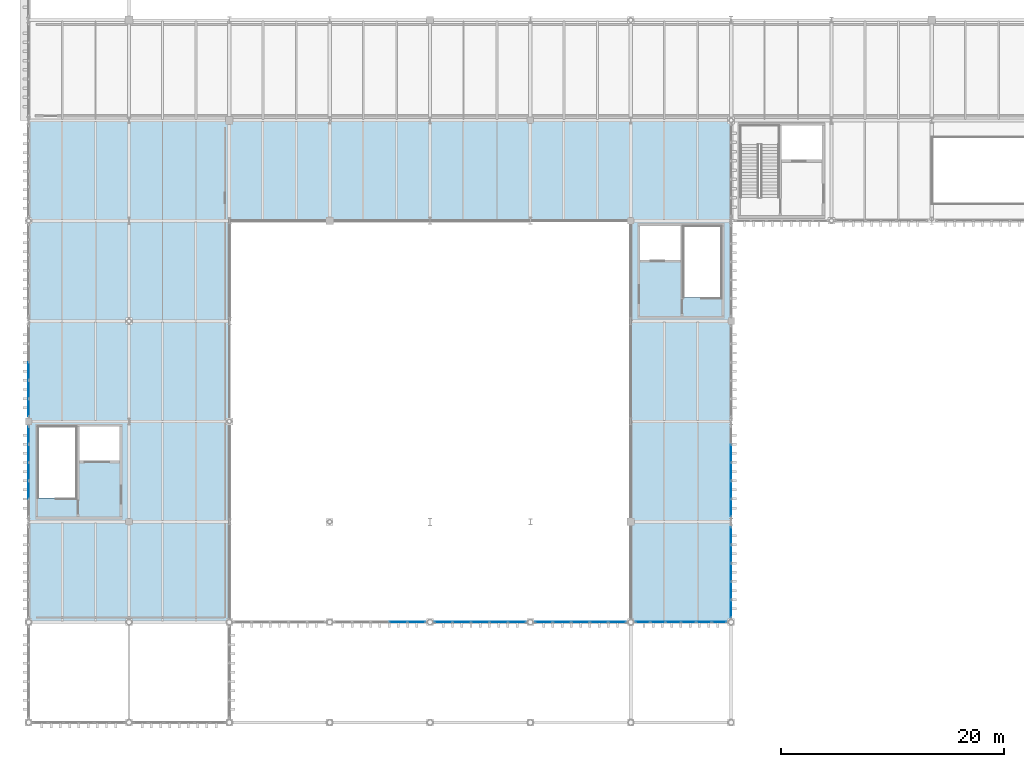
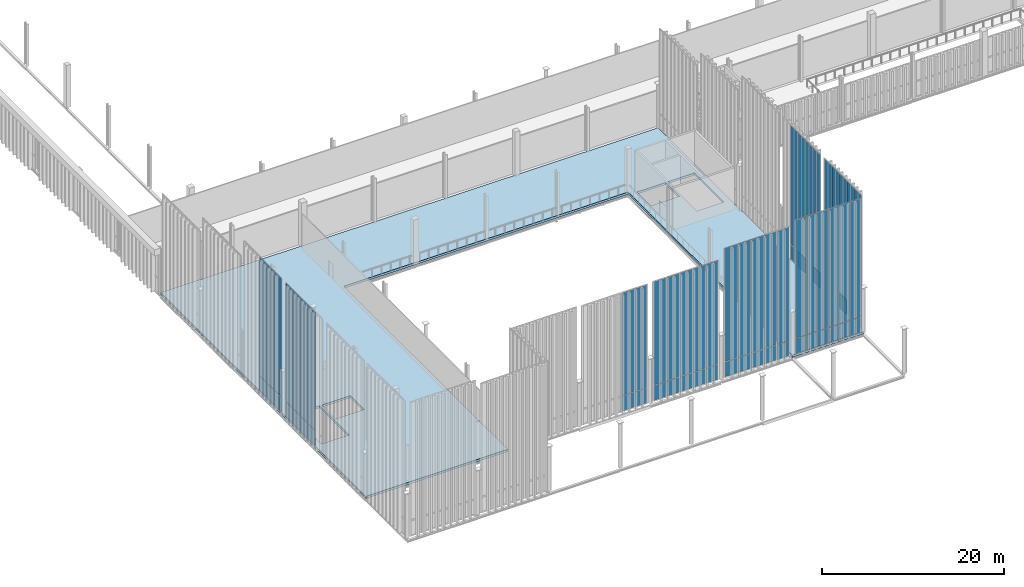
# One storey, part 182 of 237: 68 plates, 1 slab, 8 elements without a shape of their own.
"""IFC4 building model written with IfcOpenShell, lengths in metres."""

from ifc_helpers import new_model, si_unit, direction, frame, origin, origin_2d, place, context, subcontext, project, spatial, polyline, rectangle, outline, extrude, material, layer, layer_set, type_object, element, aggregate, save


model = new_model("IFC4")

# Units and contexts
model_context = context("Model", 3, precision=1e-05, world=origin(), true_north=direction((0.0, 1.0)))
body_context = subcontext(model_context, "Body", "Model", "MODEL_VIEW")
ifc_project = project(units=[si_unit("LENGTHUNIT", "METRE"), si_unit("AREAUNIT", "SQUARE_METRE"), si_unit("VOLUMEUNIT", "CUBIC_METRE"), si_unit("PLANEANGLEUNIT", "RADIAN"), si_unit("MASSUNIT", "GRAM", prefix="KILO")], contexts=[model_context])

# Site, building, storey
site_placement = place(None, origin())
site = spatial("IfcSite", under=ifc_project, at=site_placement, CompositionType="ELEMENT")
building_placement = place(site_placement, origin())
building = spatial("IfcBuilding", under=site, at=building_placement, Name="Barlavento Convention Centre", CompositionType="ELEMENT")
storey_placement = place(building_placement, frame((0.0, 0.0, 12.0)))
storey = spatial("IfcBuildingStorey", under=building, at=storey_placement, Name="L02", CompositionType="ELEMENT", Elevation=12.0)

# Curtain wall, plates
ifc_material_1 = material(Name="Powder-coated aluminium and Low-E glass", Category="aluminium")
ifc_layer_1 = layer(ifc_material_1, 0.18994140625)
ifc_layer_set_1 = layer_set([ifc_layer_1], Name="ARC-CW-CONG-L02")
curtain_wall_type = type_object("IfcCurtainWallType", Name="ARC-CW-CONG-L02", PredefinedType="NOTDEFINED", material=ifc_layer_set_1)
curtain_wall_1_placement = place(storey_placement, origin())
curtain_wall_1 = element("IfcCurtainWall", 1, at=curtain_wall_1_placement, inside=storey, type_object=curtain_wall_type, Name="L02 unitised curtain wall CW02", PredefinedType="NOTDEFINED")
ifc_material_2 = material(Name="Triple-glazed typhoon vision glass", Category="glass")
ifc_layer_2 = layer(ifc_material_2, 0.035888671875)
ifc_layer_set_2 = layer_set([ifc_layer_2], Name="ARC-CWP-GLZ36")
plate_type = type_object("IfcPlateType", Name="ARC-CWP-GLZ36", PredefinedType="CURTAIN_PANEL", material=ifc_layer_set_2)
plate_1_placement = place(storey_placement, frame((55.06787109375, 9.0, 0.06982421875), z_axis=(0.0, 0.0, 1.0), x_axis=(1.0, 0.0, 0.0)))
plate_1 = element("IfcPlate", 2, at=plate_1_placement, type_object=plate_type, Name="CW02 panel 1.1", PredefinedType="CURTAIN_PANEL", context=body_context, shape_type="SweptSolid", body=[
    extrude(rectangle(XDim=1.267822265625, YDim=0.035888671875, at=origin_2d()), origin(), (0.0, 0.0, 1.0), 1.9951171875),
])
plate_2_placement = place(storey_placement, frame((55.06787109375, 9.0, 2.135009765625), z_axis=(0.0, 0.0, 1.0), x_axis=(1.0, 0.0, 0.0)))
plate_2 = element("IfcPlate", 3, at=plate_2_placement, type_object=plate_type, Name="CW02 panel 1.2", PredefinedType="CURTAIN_PANEL", context=body_context, shape_type="SweptSolid", body=[
    extrude(rectangle(XDim=1.267822265625, YDim=0.035888671875, at=origin_2d()), origin(), (0.0, 0.0, 1.0), 15.76708984375),
])
plate_3_placement = place(storey_placement, frame((56.429443359375, 9.0, 0.06982421875), z_axis=(0.0, 0.0, 1.0), x_axis=(1.0, 0.0, 0.0)))
plate_3 = element("IfcPlate", 4, at=plate_3_placement, type_object=plate_type, Name="CW02 panel 2.1", PredefinedType="CURTAIN_PANEL", context=body_context, shape_type="SweptSolid", body=[
    extrude(rectangle(XDim=1.305419921875, YDim=0.035888671875, at=origin_2d()), origin(), (0.0, 0.0, 1.0), 1.9951171875),
])
plate_4_placement = place(storey_placement, frame((56.429443359375, 9.0, 2.135009765625), z_axis=(0.0, 0.0, 1.0), x_axis=(1.0, 0.0, 0.0)))
plate_4 = element("IfcPlate", 5, at=plate_4_placement, type_object=plate_type, Name="CW02 panel 2.2", PredefinedType="CURTAIN_PANEL", context=body_context, shape_type="SweptSolid", body=[
    extrude(rectangle(XDim=1.305419921875, YDim=0.035888671875, at=origin_2d()), origin(), (0.0, 0.0, 1.0), 15.76708984375),
])
plate_5_placement = place(storey_placement, frame((57.809814453125, 9.0, 0.06982421875), z_axis=(0.0, 0.0, 1.0), x_axis=(1.0, 0.0, 0.0)))
plate_5 = element("IfcPlate", 6, at=plate_5_placement, type_object=plate_type, Name="CW02 panel 3.1", PredefinedType="CURTAIN_PANEL", context=body_context, shape_type="SweptSolid", body=[
    extrude(rectangle(XDim=1.305419921875, YDim=0.035888671875, at=origin_2d()), origin(), (0.0, 0.0, 1.0), 1.9951171875),
])
plate_6_placement = place(storey_placement, frame((57.809814453125, 9.0, 2.135009765625), z_axis=(0.0, 0.0, 1.0), x_axis=(1.0, 0.0, 0.0)))
plate_6 = element("IfcPlate", 7, at=plate_6_placement, type_object=plate_type, Name="CW02 panel 3.2", PredefinedType="CURTAIN_PANEL", context=body_context, shape_type="SweptSolid", body=[
    extrude(rectangle(XDim=1.305419921875, YDim=0.035888671875, at=origin_2d()), origin(), (0.0, 0.0, 1.0), 15.76708984375),
])
plate_7_placement = place(storey_placement, frame((59.190185546875, 9.0, 0.06982421875), z_axis=(0.0, 0.0, 1.0), x_axis=(1.0, 0.0, 0.0)))
plate_7 = element("IfcPlate", 8, at=plate_7_placement, type_object=plate_type, Name="CW02 panel 4.1", PredefinedType="CURTAIN_PANEL", context=body_context, shape_type="SweptSolid", body=[
    extrude(rectangle(XDim=1.305419921875, YDim=0.035888671875, at=origin_2d()), origin(), (0.0, 0.0, 1.0), 1.9951171875),
])
plate_8_placement = place(storey_placement, frame((59.190185546875, 9.0, 2.135009765625), z_axis=(0.0, 0.0, 1.0), x_axis=(1.0, 0.0, 0.0)))
plate_8 = element("IfcPlate", 9, at=plate_8_placement, type_object=plate_type, Name="CW02 panel 4.2", PredefinedType="CURTAIN_PANEL", context=body_context, shape_type="SweptSolid", body=[
    extrude(rectangle(XDim=1.305419921875, YDim=0.035888671875, at=origin_2d()), origin(), (0.0, 0.0, 1.0), 15.76708984375),
])
plate_9_placement = place(storey_placement, frame((60.570556640625, 9.0, 0.06982421875), z_axis=(0.0, 0.0, 1.0), x_axis=(1.0, 0.0, 0.0)))
plate_9 = element("IfcPlate", 10, at=plate_9_placement, type_object=plate_type, Name="CW02 panel 5.1", PredefinedType="CURTAIN_PANEL", context=body_context, shape_type="SweptSolid", body=[
    extrude(rectangle(XDim=1.305419921875, YDim=0.035888671875, at=origin_2d()), origin(), (0.0, 0.0, 1.0), 1.9951171875),
])
plate_10_placement = place(storey_placement, frame((60.570556640625, 9.0, 2.135009765625), z_axis=(0.0, 0.0, 1.0), x_axis=(1.0, 0.0, 0.0)))
plate_10 = element("IfcPlate", 11, at=plate_10_placement, type_object=plate_type, Name="CW02 panel 5.2", PredefinedType="CURTAIN_PANEL", context=body_context, shape_type="SweptSolid", body=[
    extrude(rectangle(XDim=1.305419921875, YDim=0.035888671875, at=origin_2d()), origin(), (0.0, 0.0, 1.0), 15.76708984375),
])
plate_11_placement = place(storey_placement, frame((61.93212890625, 9.0, 0.06982421875), z_axis=(0.0, 0.0, 1.0), x_axis=(1.0, 0.0, 0.0)))
plate_11 = element("IfcPlate", 12, at=plate_11_placement, type_object=plate_type, Name="CW02 panel 6.1", PredefinedType="CURTAIN_PANEL", context=body_context, shape_type="SweptSolid", body=[
    extrude(rectangle(XDim=1.267822265625, YDim=0.035888671875, at=origin_2d()), origin(), (0.0, 0.0, 1.0), 1.9951171875),
])
plate_12_placement = place(storey_placement, frame((61.93212890625, 9.0, 2.135009765625), z_axis=(0.0, 0.0, 1.0), x_axis=(1.0, 0.0, 0.0)))
plate_12 = element("IfcPlate", 13, at=plate_12_placement, type_object=plate_type, Name="CW02 panel 6.2", PredefinedType="CURTAIN_PANEL", context=body_context, shape_type="SweptSolid", body=[
    extrude(rectangle(XDim=1.267822265625, YDim=0.035888671875, at=origin_2d()), origin(), (0.0, 0.0, 1.0), 15.76708984375),
])
aggregate(curtain_wall_1, [plate_1, plate_2, plate_3, plate_4, plate_5, plate_6, plate_7, plate_8, plate_9, plate_10, plate_11, plate_12])

curtain_wall_2_placement = place(storey_placement, origin())
curtain_wall_2 = element("IfcCurtainWall", 14, at=curtain_wall_2_placement, inside=storey, type_object=curtain_wall_type, Name="L02 unitised curtain wall CW02", PredefinedType="NOTDEFINED")
plate_13_placement = place(storey_placement, frame((0.0, 20.862060546875, 0.06982421875), z_axis=(0.0, 0.0, 1.0), x_axis=(0.0, 1.0, 0.0)))
plate_13 = element("IfcPlate", 15, at=plate_13_placement, type_object=plate_type, Name="CW02 panel 2.1", PredefinedType="CURTAIN_PANEL", context=body_context, shape_type="SweptSolid", body=[
    extrude(rectangle(XDim=1.56298828125, YDim=0.035888671875, at=origin_2d()), origin(), (0.0, 0.0, 1.0), 1.9951171875),
])
plate_14_placement = place(storey_placement, frame((0.0, 20.862060546875, 2.135009765625), z_axis=(0.0, 0.0, 1.0), x_axis=(0.0, 1.0, 0.0)))
plate_14 = element("IfcPlate", 16, at=plate_14_placement, type_object=plate_type, Name="CW02 panel 2.2", PredefinedType="CURTAIN_PANEL", context=body_context, shape_type="SweptSolid", body=[
    extrude(rectangle(XDim=1.56298828125, YDim=0.035888671875, at=origin_2d()), origin(), (0.0, 0.0, 1.0), 15.83203125),
])
plate_15_placement = place(storey_placement, frame((0.0, 22.5, 0.06982421875), z_axis=(0.0, 0.0, 1.0), x_axis=(0.0, 1.0, 0.0)))
plate_15 = element("IfcPlate", 17, at=plate_15_placement, type_object=plate_type, Name="CW02 panel 3.1", PredefinedType="CURTAIN_PANEL", context=body_context, shape_type="SweptSolid", body=[
    extrude(rectangle(XDim=1.56298828125, YDim=0.035888671875, at=origin_2d()), origin(), (0.0, 0.0, 1.0), 1.9951171875),
])
plate_16_placement = place(storey_placement, frame((0.0, 22.5, 2.135009765625), z_axis=(0.0, 0.0, 1.0), x_axis=(0.0, 1.0, 0.0)))
plate_16 = element("IfcPlate", 18, at=plate_16_placement, type_object=plate_type, Name="CW02 panel 3.2", PredefinedType="CURTAIN_PANEL", context=body_context, shape_type="SweptSolid", body=[
    extrude(rectangle(XDim=1.56298828125, YDim=0.035888671875, at=origin_2d()), origin(), (0.0, 0.0, 1.0), 15.83203125),
])
plate_17_placement = place(storey_placement, frame((0.0, 24.137939453125, 0.06982421875), z_axis=(0.0, 0.0, 1.0), x_axis=(0.0, 1.0, 0.0)))
plate_17 = element("IfcPlate", 19, at=plate_17_placement, type_object=plate_type, Name="CW02 panel 4.1", PredefinedType="CURTAIN_PANEL", context=body_context, shape_type="SweptSolid", body=[
    extrude(rectangle(XDim=1.56298828125, YDim=0.035888671875, at=origin_2d()), origin(), (0.0, 0.0, 1.0), 1.9951171875),
])
plate_18_placement = place(storey_placement, frame((0.0, 24.137939453125, 2.135009765625), z_axis=(0.0, 0.0, 1.0), x_axis=(0.0, 1.0, 0.0)))
plate_18 = element("IfcPlate", 20, at=plate_18_placement, type_object=plate_type, Name="CW02 panel 4.2", PredefinedType="CURTAIN_PANEL", context=body_context, shape_type="SweptSolid", body=[
    extrude(rectangle(XDim=1.56298828125, YDim=0.035888671875, at=origin_2d()), origin(), (0.0, 0.0, 1.0), 15.83203125),
])
plate_19_placement = place(storey_placement, frame((0.0, 25.75732421875, 0.06982421875), z_axis=(0.0, 0.0, 1.0), x_axis=(0.0, 1.0, 0.0)))
plate_19 = element("IfcPlate", 21, at=plate_19_placement, type_object=plate_type, Name="CW02 panel 5.1", PredefinedType="CURTAIN_PANEL", context=body_context, shape_type="SweptSolid", body=[
    extrude(rectangle(XDim=1.525390625, YDim=0.035888671875, at=origin_2d()), origin(), (0.0, 0.0, 1.0), 1.9951171875),
])
plate_20_placement = place(storey_placement, frame((0.0, 25.75732421875, 2.135009765625), z_axis=(0.0, 0.0, 1.0), x_axis=(0.0, 1.0, 0.0)))
plate_20 = element("IfcPlate", 22, at=plate_20_placement, type_object=plate_type, Name="CW02 panel 5.2", PredefinedType="CURTAIN_PANEL", context=body_context, shape_type="SweptSolid", body=[
    extrude(rectangle(XDim=1.525390625, YDim=0.035888671875, at=origin_2d()), origin(), (0.0, 0.0, 1.0), 15.83203125),
])
aggregate(curtain_wall_2, [plate_13, plate_14, plate_15, plate_16, plate_17, plate_18, plate_19, plate_20])

curtain_wall_3_placement = place(storey_placement, origin())
curtain_wall_3 = element("IfcCurtainWall", 23, at=curtain_wall_3_placement, inside=storey, type_object=curtain_wall_type, Name="L02 unitised curtain wall CW02", PredefinedType="NOTDEFINED")
plate_21_placement = place(storey_placement, frame((0.0, 28.244140625, 0.06982421875), z_axis=(0.0, 0.0, 1.0), x_axis=(0.0, 1.0, 0.0)))
plate_21 = element("IfcPlate", 24, at=plate_21_placement, type_object=plate_type, Name="CW02 panel 1.1", PredefinedType="CURTAIN_PANEL", context=body_context, shape_type="SweptSolid", body=[
    extrude(rectangle(XDim=1.5283203125, YDim=0.035888671875, at=origin_2d()), origin(), (0.0, 0.0, 1.0), 1.9951171875),
])
plate_22_placement = place(storey_placement, frame((0.0, 28.244140625, 2.135009765625), z_axis=(0.0, 0.0, 1.0), x_axis=(0.0, 1.0, 0.0)))
plate_22 = element("IfcPlate", 25, at=plate_22_placement, type_object=plate_type, Name="CW02 panel 1.2", PredefinedType="CURTAIN_PANEL", context=body_context, shape_type="SweptSolid", body=[
    extrude(rectangle(XDim=1.5283203125, YDim=0.035888671875, at=origin_2d()), origin(), (0.0, 0.0, 1.0), 15.83203125),
])
plate_23_placement = place(storey_placement, frame((0.0, 29.8662109375, 0.06982421875), z_axis=(0.0, 0.0, 1.0), x_axis=(0.0, 1.0, 0.0)))
plate_23 = element("IfcPlate", 26, at=plate_23_placement, type_object=plate_type, Name="CW02 panel 2.1", PredefinedType="CURTAIN_PANEL", context=body_context, shape_type="SweptSolid", body=[
    extrude(rectangle(XDim=1.56591796875, YDim=0.035888671875, at=origin_2d()), origin(), (0.0, 0.0, 1.0), 1.9951171875),
])
plate_24_placement = place(storey_placement, frame((0.0, 29.8662109375, 2.135009765625), z_axis=(0.0, 0.0, 1.0), x_axis=(0.0, 1.0, 0.0)))
plate_24 = element("IfcPlate", 27, at=plate_24_placement, type_object=plate_type, Name="CW02 panel 2.2", PredefinedType="CURTAIN_PANEL", context=body_context, shape_type="SweptSolid", body=[
    extrude(rectangle(XDim=1.56591796875, YDim=0.035888671875, at=origin_2d()), origin(), (0.0, 0.0, 1.0), 15.83203125),
])
plate_25_placement = place(storey_placement, frame((0.0, 31.507080078125, 0.06982421875), z_axis=(0.0, 0.0, 1.0), x_axis=(0.0, 1.0, 0.0)))
plate_25 = element("IfcPlate", 28, at=plate_25_placement, type_object=plate_type, Name="CW02 panel 3.1", PredefinedType="CURTAIN_PANEL", context=body_context, shape_type="SweptSolid", body=[
    extrude(rectangle(XDim=1.56591796875, YDim=0.035888671875, at=origin_2d()), origin(), (0.0, 0.0, 1.0), 1.9951171875),
])
plate_26_placement = place(storey_placement, frame((0.0, 31.507080078125, 2.135009765625), z_axis=(0.0, 0.0, 1.0), x_axis=(0.0, 1.0, 0.0)))
plate_26 = element("IfcPlate", 29, at=plate_26_placement, type_object=plate_type, Name="CW02 panel 3.2", PredefinedType="CURTAIN_PANEL", context=body_context, shape_type="SweptSolid", body=[
    extrude(rectangle(XDim=1.56591796875, YDim=0.035888671875, at=origin_2d()), origin(), (0.0, 0.0, 1.0), 15.83203125),
])
aggregate(curtain_wall_3, [plate_21, plate_22, plate_23, plate_24, plate_25, plate_26])

curtain_wall_4_placement = place(storey_placement, origin())
curtain_wall_4 = element("IfcCurtainWall", 30, at=curtain_wall_4_placement, inside=storey, type_object=curtain_wall_type, Name="L02 unitised curtain wall CW02", PredefinedType="NOTDEFINED")
plate_27_placement = place(storey_placement, frame((63.0, 10.200439453125, 0.06982421875), z_axis=(0.0, 0.0, 1.0), x_axis=(0.0, 1.0, 0.0)))
plate_27 = element("IfcPlate", 31, at=plate_27_placement, type_object=plate_type, Name="CW02 panel 1.1", PredefinedType="CURTAIN_PANEL", context=body_context, shape_type="SweptSolid", body=[
    extrude(rectangle(XDim=1.53271484375, YDim=0.035888671875, at=origin_2d()), origin(), (0.0, 0.0, 1.0), 1.9951171875),
])
plate_28_placement = place(storey_placement, frame((63.0, 10.200439453125, 2.135009765625), z_axis=(0.0, 0.0, 1.0), x_axis=(0.0, 1.0, 0.0)))
plate_28 = element("IfcPlate", 32, at=plate_28_placement, type_object=plate_type, Name="CW02 panel 1.2", PredefinedType="CURTAIN_PANEL", context=body_context, shape_type="SweptSolid", body=[
    extrude(rectangle(XDim=1.53271484375, YDim=0.035888671875, at=origin_2d()), origin(), (0.0, 0.0, 1.0), 15.83203125),
])
plate_29_placement = place(storey_placement, frame((63.0, 11.826904296875, 0.06982421875), z_axis=(0.0, 0.0, 1.0), x_axis=(0.0, 1.0, 0.0)))
plate_29 = element("IfcPlate", 33, at=plate_29_placement, type_object=plate_type, Name="CW02 panel 2.1", PredefinedType="CURTAIN_PANEL", context=body_context, shape_type="SweptSolid", body=[
    extrude(rectangle(XDim=1.5703125, YDim=0.035888671875, at=origin_2d()), origin(), (0.0, 0.0, 1.0), 1.9951171875),
])
plate_30_placement = place(storey_placement, frame((63.0, 11.826904296875, 2.135009765625), z_axis=(0.0, 0.0, 1.0), x_axis=(0.0, 1.0, 0.0)))
plate_30 = element("IfcPlate", 34, at=plate_30_placement, type_object=plate_type, Name="CW02 panel 2.2", PredefinedType="CURTAIN_PANEL", context=body_context, shape_type="SweptSolid", body=[
    extrude(rectangle(XDim=1.5703125, YDim=0.035888671875, at=origin_2d()), origin(), (0.0, 0.0, 1.0), 15.83203125),
])
plate_31_placement = place(storey_placement, frame((63.0, 13.471923828125, 0.06982421875), z_axis=(0.0, 0.0, 1.0), x_axis=(0.0, 1.0, 0.0)))
plate_31 = element("IfcPlate", 35, at=plate_31_placement, type_object=plate_type, Name="CW02 panel 3.1", PredefinedType="CURTAIN_PANEL", context=body_context, shape_type="SweptSolid", body=[
    extrude(rectangle(XDim=1.5703125, YDim=0.035888671875, at=origin_2d()), origin(), (0.0, 0.0, 1.0), 1.9951171875),
])
plate_32_placement = place(storey_placement, frame((63.0, 13.471923828125, 2.135009765625), z_axis=(0.0, 0.0, 1.0), x_axis=(0.0, 1.0, 0.0)))
plate_32 = element("IfcPlate", 36, at=plate_32_placement, type_object=plate_type, Name="CW02 panel 3.2", PredefinedType="CURTAIN_PANEL", context=body_context, shape_type="SweptSolid", body=[
    extrude(rectangle(XDim=1.5703125, YDim=0.035888671875, at=origin_2d()), origin(), (0.0, 0.0, 1.0), 15.83203125),
])
plate_33_placement = place(storey_placement, frame((63.0, 15.1171875, 0.06982421875), z_axis=(0.0, 0.0, 1.0), x_axis=(0.0, 1.0, 0.0)))
plate_33 = element("IfcPlate", 37, at=plate_33_placement, type_object=plate_type, Name="CW02 panel 4.1", PredefinedType="CURTAIN_PANEL", context=body_context, shape_type="SweptSolid", body=[
    extrude(rectangle(XDim=1.5703125, YDim=0.035888671875, at=origin_2d()), origin(), (0.0, 0.0, 1.0), 1.9951171875),
])
plate_34_placement = place(storey_placement, frame((63.0, 15.1171875, 2.135009765625), z_axis=(0.0, 0.0, 1.0), x_axis=(0.0, 1.0, 0.0)))
plate_34 = element("IfcPlate", 38, at=plate_34_placement, type_object=plate_type, Name="CW02 panel 4.2", PredefinedType="CURTAIN_PANEL", context=body_context, shape_type="SweptSolid", body=[
    extrude(rectangle(XDim=1.5703125, YDim=0.035888671875, at=origin_2d()), origin(), (0.0, 0.0, 1.0), 15.83203125),
])
plate_35_placement = place(storey_placement, frame((63.0, 16.74365234375, 0.06982421875), z_axis=(0.0, 0.0, 1.0), x_axis=(0.0, 1.0, 0.0)))
plate_35 = element("IfcPlate", 39, at=plate_35_placement, type_object=plate_type, Name="CW02 panel 5.1", PredefinedType="CURTAIN_PANEL", context=body_context, shape_type="SweptSolid", body=[
    extrude(rectangle(XDim=1.53271484375, YDim=0.035888671875, at=origin_2d()), origin(), (0.0, 0.0, 1.0), 1.9951171875),
])
plate_36_placement = place(storey_placement, frame((63.0, 16.74365234375, 2.135009765625), z_axis=(0.0, 0.0, 1.0), x_axis=(0.0, 1.0, 0.0)))
plate_36 = element("IfcPlate", 40, at=plate_36_placement, type_object=plate_type, Name="CW02 panel 5.2", PredefinedType="CURTAIN_PANEL", context=body_context, shape_type="SweptSolid", body=[
    extrude(rectangle(XDim=1.53271484375, YDim=0.035888671875, at=origin_2d()), origin(), (0.0, 0.0, 1.0), 15.83203125),
])
aggregate(curtain_wall_4, [plate_27, plate_28, plate_29, plate_30, plate_31, plate_32, plate_33, plate_34, plate_35, plate_36])

curtain_wall_5_placement = place(storey_placement, origin())
curtain_wall_5 = element("IfcCurtainWall", 41, at=curtain_wall_5_placement, inside=storey, type_object=curtain_wall_type, Name="L02 unitised curtain wall CW02", PredefinedType="NOTDEFINED")
plate_37_placement = place(storey_placement, frame((63.0, 19.251708984375, 0.06982421875), z_axis=(0.0, 0.0, 1.0), x_axis=(0.0, 1.0, 0.0)))
plate_37 = element("IfcPlate", 42, at=plate_37_placement, type_object=plate_type, Name="CW02 panel 1.1", PredefinedType="CURTAIN_PANEL", context=body_context, shape_type="SweptSolid", body=[
    extrude(rectangle(XDim=1.5234375, YDim=0.035888671875, at=origin_2d()), origin(), (0.0, 0.0, 1.0), 1.9951171875),
])
plate_38_placement = place(storey_placement, frame((63.0, 19.251708984375, 2.135009765625), z_axis=(0.0, 0.0, 1.0), x_axis=(0.0, 1.0, 0.0)))
plate_38 = element("IfcPlate", 43, at=plate_38_placement, type_object=plate_type, Name="CW02 panel 1.2", PredefinedType="CURTAIN_PANEL", context=body_context, shape_type="SweptSolid", body=[
    extrude(rectangle(XDim=1.5234375, YDim=0.035888671875, at=origin_2d()), origin(), (0.0, 0.0, 1.0), 15.83203125),
])
plate_39_placement = place(storey_placement, frame((63.0, 20.868896484375, 0.06982421875), z_axis=(0.0, 0.0, 1.0), x_axis=(0.0, 1.0, 0.0)))
plate_39 = element("IfcPlate", 44, at=plate_39_placement, type_object=plate_type, Name="CW02 panel 2.1", PredefinedType="CURTAIN_PANEL", context=body_context, shape_type="SweptSolid", body=[
    extrude(rectangle(XDim=1.56103515625, YDim=0.035888671875, at=origin_2d()), origin(), (0.0, 0.0, 1.0), 1.9951171875),
])
plate_40_placement = place(storey_placement, frame((63.0, 20.868896484375, 2.135009765625), z_axis=(0.0, 0.0, 1.0), x_axis=(0.0, 1.0, 0.0)))
plate_40 = element("IfcPlate", 45, at=plate_40_placement, type_object=plate_type, Name="CW02 panel 2.2", PredefinedType="CURTAIN_PANEL", context=body_context, shape_type="SweptSolid", body=[
    extrude(rectangle(XDim=1.56103515625, YDim=0.035888671875, at=origin_2d()), origin(), (0.0, 0.0, 1.0), 15.83203125),
])
plate_41_placement = place(storey_placement, frame((63.0, 22.5048828125, 0.06982421875), z_axis=(0.0, 0.0, 1.0), x_axis=(0.0, 1.0, 0.0)))
plate_41 = element("IfcPlate", 46, at=plate_41_placement, type_object=plate_type, Name="CW02 panel 3.1", PredefinedType="CURTAIN_PANEL", context=body_context, shape_type="SweptSolid", body=[
    extrude(rectangle(XDim=1.56103515625, YDim=0.035888671875, at=origin_2d()), origin(), (0.0, 0.0, 1.0), 1.9951171875),
])
plate_42_placement = place(storey_placement, frame((63.0, 22.5048828125, 2.135009765625), z_axis=(0.0, 0.0, 1.0), x_axis=(0.0, 1.0, 0.0)))
plate_42 = element("IfcPlate", 47, at=plate_42_placement, type_object=plate_type, Name="CW02 panel 3.2", PredefinedType="CURTAIN_PANEL", context=body_context, shape_type="SweptSolid", body=[
    extrude(rectangle(XDim=1.56103515625, YDim=0.035888671875, at=origin_2d()), origin(), (0.0, 0.0, 1.0), 15.83203125),
])
plate_43_placement = place(storey_placement, frame((63.0, 24.14111328125, 0.06982421875), z_axis=(0.0, 0.0, 1.0), x_axis=(0.0, 1.0, 0.0)))
plate_43 = element("IfcPlate", 48, at=plate_43_placement, type_object=plate_type, Name="CW02 panel 4.1", PredefinedType="CURTAIN_PANEL", context=body_context, shape_type="SweptSolid", body=[
    extrude(rectangle(XDim=1.56103515625, YDim=0.035888671875, at=origin_2d()), origin(), (0.0, 0.0, 1.0), 1.9951171875),
])
plate_44_placement = place(storey_placement, frame((63.0, 24.14111328125, 2.135009765625), z_axis=(0.0, 0.0, 1.0), x_axis=(0.0, 1.0, 0.0)))
plate_44 = element("IfcPlate", 49, at=plate_44_placement, type_object=plate_type, Name="CW02 panel 4.2", PredefinedType="CURTAIN_PANEL", context=body_context, shape_type="SweptSolid", body=[
    extrude(rectangle(XDim=1.56103515625, YDim=0.035888671875, at=origin_2d()), origin(), (0.0, 0.0, 1.0), 15.83203125),
])
aggregate(curtain_wall_5, [plate_37, plate_38, plate_39, plate_40, plate_41, plate_42, plate_43, plate_44])

curtain_wall_6_placement = place(storey_placement, origin())
curtain_wall_6 = element("IfcCurtainWall", 50, at=curtain_wall_6_placement, inside=storey, type_object=curtain_wall_type, Name="L02 unitised curtain wall CW02", PredefinedType="NOTDEFINED")
plate_45_placement = place(storey_placement, frame((33.156494140625, 9.0, 0.06982421875), z_axis=(0.0, 0.0, 1.0), x_axis=(1.0, 0.0, 0.0)))
plate_45 = element("IfcPlate", 51, at=plate_45_placement, type_object=plate_type, Name="CW02 panel 4.1", PredefinedType="CURTAIN_PANEL", context=body_context, shape_type="SweptSolid", body=[
    extrude(rectangle(XDim=1.581298828125, YDim=0.035888671875, at=origin_2d()), origin(), (0.0, 0.0, 1.0), 1.9951171875),
])
plate_46_placement = place(storey_placement, frame((33.156494140625, 9.0, 2.135009765625), z_axis=(0.0, 0.0, 1.0), x_axis=(1.0, 0.0, 0.0)))
plate_46 = element("IfcPlate", 52, at=plate_46_placement, type_object=plate_type, Name="CW02 panel 4.2", PredefinedType="CURTAIN_PANEL", context=body_context, shape_type="SweptSolid", body=[
    extrude(rectangle(XDim=1.581298828125, YDim=0.035888671875, at=origin_2d()), origin(), (0.0, 0.0, 1.0), 13.7451171875),
])
plate_47_placement = place(storey_placement, frame((34.7939453125, 9.0, 0.06982421875), z_axis=(0.0, 0.0, 1.0), x_axis=(1.0, 0.0, 0.0)))
plate_47 = element("IfcPlate", 53, at=plate_47_placement, type_object=plate_type, Name="CW02 panel 5.1", PredefinedType="CURTAIN_PANEL", context=body_context, shape_type="SweptSolid", body=[
    extrude(rectangle(XDim=1.5439453125, YDim=0.035888671875, at=origin_2d()), origin(), (0.0, 0.0, 1.0), 1.9951171875),
])
plate_48_placement = place(storey_placement, frame((34.7939453125, 9.0, 2.135009765625), z_axis=(0.0, 0.0, 1.0), x_axis=(1.0, 0.0, 0.0)))
plate_48 = element("IfcPlate", 54, at=plate_48_placement, type_object=plate_type, Name="CW02 panel 5.2", PredefinedType="CURTAIN_PANEL", context=body_context, shape_type="SweptSolid", body=[
    extrude(rectangle(XDim=1.5439453125, YDim=0.035888671875, at=origin_2d()), origin(), (0.0, 0.0, 1.0), 13.7451171875),
])
aggregate(curtain_wall_6, [plate_45, plate_46, plate_47, plate_48])

curtain_wall_7_placement = place(storey_placement, origin())
curtain_wall_7 = element("IfcCurtainWall", 55, at=curtain_wall_7_placement, inside=storey, type_object=curtain_wall_type, Name="L02 unitised curtain wall CW02", PredefinedType="NOTDEFINED")
plate_49_placement = place(storey_placement, frame((37.2060546875, 9.0, 0.06982421875), z_axis=(0.0, 0.0, 1.0), x_axis=(1.0, 0.0, 0.0)))
plate_49 = element("IfcPlate", 56, at=plate_49_placement, type_object=plate_type, Name="CW02 panel 1.1", PredefinedType="CURTAIN_PANEL", context=body_context, shape_type="SweptSolid", body=[
    extrude(rectangle(XDim=1.5439453125, YDim=0.035888671875, at=origin_2d()), origin(), (0.0, 0.0, 1.0), 1.9951171875),
])
plate_50_placement = place(storey_placement, frame((37.2060546875, 9.0, 2.135009765625), z_axis=(0.0, 0.0, 1.0), x_axis=(1.0, 0.0, 0.0)))
plate_50 = element("IfcPlate", 57, at=plate_50_placement, type_object=plate_type, Name="CW02 panel 1.2", PredefinedType="CURTAIN_PANEL", context=body_context, shape_type="SweptSolid", body=[
    extrude(rectangle(XDim=1.5439453125, YDim=0.035888671875, at=origin_2d()), origin(), (0.0, 0.0, 1.0), 13.83203125),
])
plate_51_placement = place(storey_placement, frame((38.843505859375, 9.0, 0.06982421875), z_axis=(0.0, 0.0, 1.0), x_axis=(1.0, 0.0, 0.0)))
plate_51 = element("IfcPlate", 58, at=plate_51_placement, type_object=plate_type, Name="CW02 panel 2.1", PredefinedType="CURTAIN_PANEL", context=body_context, shape_type="SweptSolid", body=[
    extrude(rectangle(XDim=1.581298828125, YDim=0.035888671875, at=origin_2d()), origin(), (0.0, 0.0, 1.0), 1.9951171875),
])
plate_52_placement = place(storey_placement, frame((38.843505859375, 9.0, 2.135009765625), z_axis=(0.0, 0.0, 1.0), x_axis=(1.0, 0.0, 0.0)))
plate_52 = element("IfcPlate", 59, at=plate_52_placement, type_object=plate_type, Name="CW02 panel 2.2", PredefinedType="CURTAIN_PANEL", context=body_context, shape_type="SweptSolid", body=[
    extrude(rectangle(XDim=1.581298828125, YDim=0.035888671875, at=origin_2d()), origin(), (0.0, 0.0, 1.0), 13.83203125),
])
plate_53_placement = place(storey_placement, frame((40.5, 9.0, 0.06982421875), z_axis=(0.0, 0.0, 1.0), x_axis=(1.0, 0.0, 0.0)))
plate_53 = element("IfcPlate", 60, at=plate_53_placement, type_object=plate_type, Name="CW02 panel 3.1", PredefinedType="CURTAIN_PANEL", context=body_context, shape_type="SweptSolid", body=[
    extrude(rectangle(XDim=1.581298828125, YDim=0.035888671875, at=origin_2d()), origin(), (0.0, 0.0, 1.0), 1.9951171875),
])
plate_54_placement = place(storey_placement, frame((40.5, 9.0, 2.135009765625), z_axis=(0.0, 0.0, 1.0), x_axis=(1.0, 0.0, 0.0)))
plate_54 = element("IfcPlate", 61, at=plate_54_placement, type_object=plate_type, Name="CW02 panel 3.2", PredefinedType="CURTAIN_PANEL", context=body_context, shape_type="SweptSolid", body=[
    extrude(rectangle(XDim=1.581298828125, YDim=0.035888671875, at=origin_2d()), origin(), (0.0, 0.0, 1.0), 13.83203125),
])
plate_55_placement = place(storey_placement, frame((42.156494140625, 9.0, 0.06982421875), z_axis=(0.0, 0.0, 1.0), x_axis=(1.0, 0.0, 0.0)))
plate_55 = element("IfcPlate", 62, at=plate_55_placement, type_object=plate_type, Name="CW02 panel 4.1", PredefinedType="CURTAIN_PANEL", context=body_context, shape_type="SweptSolid", body=[
    extrude(rectangle(XDim=1.581298828125, YDim=0.035888671875, at=origin_2d()), origin(), (0.0, 0.0, 1.0), 1.9951171875),
])
plate_56_placement = place(storey_placement, frame((42.156494140625, 9.0, 2.135009765625), z_axis=(0.0, 0.0, 1.0), x_axis=(1.0, 0.0, 0.0)))
plate_56 = element("IfcPlate", 63, at=plate_56_placement, type_object=plate_type, Name="CW02 panel 4.2", PredefinedType="CURTAIN_PANEL", context=body_context, shape_type="SweptSolid", body=[
    extrude(rectangle(XDim=1.581298828125, YDim=0.035888671875, at=origin_2d()), origin(), (0.0, 0.0, 1.0), 13.83203125),
])
plate_57_placement = place(storey_placement, frame((43.7939453125, 9.0, 0.06982421875), z_axis=(0.0, 0.0, 1.0), x_axis=(1.0, 0.0, 0.0)))
plate_57 = element("IfcPlate", 64, at=plate_57_placement, type_object=plate_type, Name="CW02 panel 5.1", PredefinedType="CURTAIN_PANEL", context=body_context, shape_type="SweptSolid", body=[
    extrude(rectangle(XDim=1.5439453125, YDim=0.035888671875, at=origin_2d()), origin(), (0.0, 0.0, 1.0), 1.9951171875),
])
plate_58_placement = place(storey_placement, frame((43.7939453125, 9.0, 2.135009765625), z_axis=(0.0, 0.0, 1.0), x_axis=(1.0, 0.0, 0.0)))
plate_58 = element("IfcPlate", 65, at=plate_58_placement, type_object=plate_type, Name="CW02 panel 5.2", PredefinedType="CURTAIN_PANEL", context=body_context, shape_type="SweptSolid", body=[
    extrude(rectangle(XDim=1.5439453125, YDim=0.035888671875, at=origin_2d()), origin(), (0.0, 0.0, 1.0), 13.83203125),
])
aggregate(curtain_wall_7, [plate_49, plate_50, plate_51, plate_52, plate_53, plate_54, plate_55, plate_56, plate_57, plate_58])

curtain_wall_8_placement = place(storey_placement, origin())
curtain_wall_8 = element("IfcCurtainWall", 66, at=curtain_wall_8_placement, inside=storey, type_object=curtain_wall_type, Name="L02 unitised curtain wall CW02", PredefinedType="NOTDEFINED")
plate_59_placement = place(storey_placement, frame((46.2060546875, 9.0, 0.06982421875), z_axis=(0.0, 0.0, 1.0), x_axis=(1.0, 0.0, 0.0)))
plate_59 = element("IfcPlate", 67, at=plate_59_placement, type_object=plate_type, Name="CW02 panel 1.1", PredefinedType="CURTAIN_PANEL", context=body_context, shape_type="SweptSolid", body=[
    extrude(rectangle(XDim=1.5439453125, YDim=0.035888671875, at=origin_2d()), origin(), (0.0, 0.0, 1.0), 1.9951171875),
])
plate_60_placement = place(storey_placement, frame((46.2060546875, 9.0, 2.135009765625), z_axis=(0.0, 0.0, 1.0), x_axis=(1.0, 0.0, 0.0)))
plate_60 = element("IfcPlate", 68, at=plate_60_placement, type_object=plate_type, Name="CW02 panel 1.2", PredefinedType="CURTAIN_PANEL", context=body_context, shape_type="SweptSolid", body=[
    extrude(rectangle(XDim=1.5439453125, YDim=0.035888671875, at=origin_2d()), origin(), (0.0, 0.0, 1.0), 15.14892578125),
])
plate_61_placement = place(storey_placement, frame((47.843505859375, 9.0, 0.06982421875), z_axis=(0.0, 0.0, 1.0), x_axis=(1.0, 0.0, 0.0)))
plate_61 = element("IfcPlate", 69, at=plate_61_placement, type_object=plate_type, Name="CW02 panel 2.1", PredefinedType="CURTAIN_PANEL", context=body_context, shape_type="SweptSolid", body=[
    extrude(rectangle(XDim=1.581298828125, YDim=0.035888671875, at=origin_2d()), origin(), (0.0, 0.0, 1.0), 1.9951171875),
])
plate_62_placement = place(storey_placement, frame((47.843505859375, 9.0, 2.135009765625), z_axis=(0.0, 0.0, 1.0), x_axis=(1.0, 0.0, 0.0)))
plate_62 = element("IfcPlate", 70, at=plate_62_placement, type_object=plate_type, Name="CW02 panel 2.2", PredefinedType="CURTAIN_PANEL", context=body_context, shape_type="SweptSolid", body=[
    extrude(rectangle(XDim=1.581298828125, YDim=0.035888671875, at=origin_2d()), origin(), (0.0, 0.0, 1.0), 15.14892578125),
])
plate_63_placement = place(storey_placement, frame((49.5, 9.0, 0.06982421875), z_axis=(0.0, 0.0, 1.0), x_axis=(1.0, 0.0, 0.0)))
plate_63 = element("IfcPlate", 71, at=plate_63_placement, type_object=plate_type, Name="CW02 panel 3.1", PredefinedType="CURTAIN_PANEL", context=body_context, shape_type="SweptSolid", body=[
    extrude(rectangle(XDim=1.581298828125, YDim=0.035888671875, at=origin_2d()), origin(), (0.0, 0.0, 1.0), 1.9951171875),
])
plate_64_placement = place(storey_placement, frame((49.5, 9.0, 2.135009765625), z_axis=(0.0, 0.0, 1.0), x_axis=(1.0, 0.0, 0.0)))
plate_64 = element("IfcPlate", 72, at=plate_64_placement, type_object=plate_type, Name="CW02 panel 3.2", PredefinedType="CURTAIN_PANEL", context=body_context, shape_type="SweptSolid", body=[
    extrude(rectangle(XDim=1.581298828125, YDim=0.035888671875, at=origin_2d()), origin(), (0.0, 0.0, 1.0), 15.14892578125),
])
plate_65_placement = place(storey_placement, frame((51.156494140625, 9.0, 0.06982421875), z_axis=(0.0, 0.0, 1.0), x_axis=(1.0, 0.0, 0.0)))
plate_65 = element("IfcPlate", 73, at=plate_65_placement, type_object=plate_type, Name="CW02 panel 4.1", PredefinedType="CURTAIN_PANEL", context=body_context, shape_type="SweptSolid", body=[
    extrude(rectangle(XDim=1.581298828125, YDim=0.035888671875, at=origin_2d()), origin(), (0.0, 0.0, 1.0), 1.9951171875),
])
plate_66_placement = place(storey_placement, frame((51.156494140625, 9.0, 2.135009765625), z_axis=(0.0, 0.0, 1.0), x_axis=(1.0, 0.0, 0.0)))
plate_66 = element("IfcPlate", 74, at=plate_66_placement, type_object=plate_type, Name="CW02 panel 4.2", PredefinedType="CURTAIN_PANEL", context=body_context, shape_type="SweptSolid", body=[
    extrude(rectangle(XDim=1.581298828125, YDim=0.035888671875, at=origin_2d()), origin(), (0.0, 0.0, 1.0), 15.14892578125),
])
plate_67_placement = place(storey_placement, frame((52.7939453125, 9.0, 0.06982421875), z_axis=(0.0, 0.0, 1.0), x_axis=(1.0, 0.0, 0.0)))
plate_67 = element("IfcPlate", 75, at=plate_67_placement, type_object=plate_type, Name="CW02 panel 5.1", PredefinedType="CURTAIN_PANEL", context=body_context, shape_type="SweptSolid", body=[
    extrude(rectangle(XDim=1.5439453125, YDim=0.035888671875, at=origin_2d()), origin(), (0.0, 0.0, 1.0), 1.9951171875),
])
plate_68_placement = place(storey_placement, frame((52.7939453125, 9.0, 2.135009765625), z_axis=(0.0, 0.0, 1.0), x_axis=(1.0, 0.0, 0.0)))
plate_68 = element("IfcPlate", 76, at=plate_68_placement, type_object=plate_type, Name="CW02 panel 5.2", PredefinedType="CURTAIN_PANEL", context=body_context, shape_type="SweptSolid", body=[
    extrude(rectangle(XDim=1.5439453125, YDim=0.035888671875, at=origin_2d()), origin(), (0.0, 0.0, 1.0), 15.14892578125),
])
aggregate(curtain_wall_8, [plate_59, plate_60, plate_61, plate_62, plate_63, plate_64, plate_65, plate_66, plate_67, plate_68])

# Slab
ifc_material_3 = material(Name="Concrete C40/50", Category="concrete")
ifc_layer_3 = layer(ifc_material_3, 0.300048828125)
ifc_layer_set_3 = layer_set([ifc_layer_3], Name="STR-SLB-FLR-300")
slab_type = type_object("IfcSlabType", Name="STR-SLB-FLR-300", PredefinedType="FLOOR", material=ifc_layer_set_3)
slab_placement = place(storey_placement, frame((0.0, 0.0, -0.300048828125)))
element("IfcSlab", 77, at=slab_placement, inside=storey, type_object=slab_type, Name="L02 structural slab FS-201", PredefinedType="FLOOR", context=body_context, shape_type="SweptSolid", body=[
    extrude(outline(polyline([(0.0, 9.0), (18.0, 9.0), (18.0, 45.0), (54.0, 45.0), (54.0, 9.0), (63.0, 9.0), (63.0, 54.0), (0.0, 54.0), (0.0, 9.0)]), holes=[polyline([(4.2900390625, 20.114990234375), (4.2900390625, 26.530029296875), (0.85009765625, 26.530029296875), (0.85009765625, 20.114990234375), (4.2900390625, 20.114990234375)]), polyline([(4.5400390625, 23.4951171875), (8.14990234375, 23.4951171875), (8.14990234375, 26.530029296875), (4.5400390625, 26.530029296875), (4.5400390625, 23.4951171875)]), polyline([(62.14990234375, 38.114990234375), (62.14990234375, 44.530029296875), (58.7099609375, 44.530029296875), (58.7099609375, 38.114990234375), (62.14990234375, 38.114990234375)]), polyline([(54.85009765625, 41.4951171875), (58.4599609375, 41.4951171875), (58.4599609375, 44.530029296875), (54.85009765625, 44.530029296875), (54.85009765625, 41.4951171875)])]), origin(), (0.0, 0.0, 1.0), 0.300048828125),
])

save(model, "model.ifc")
